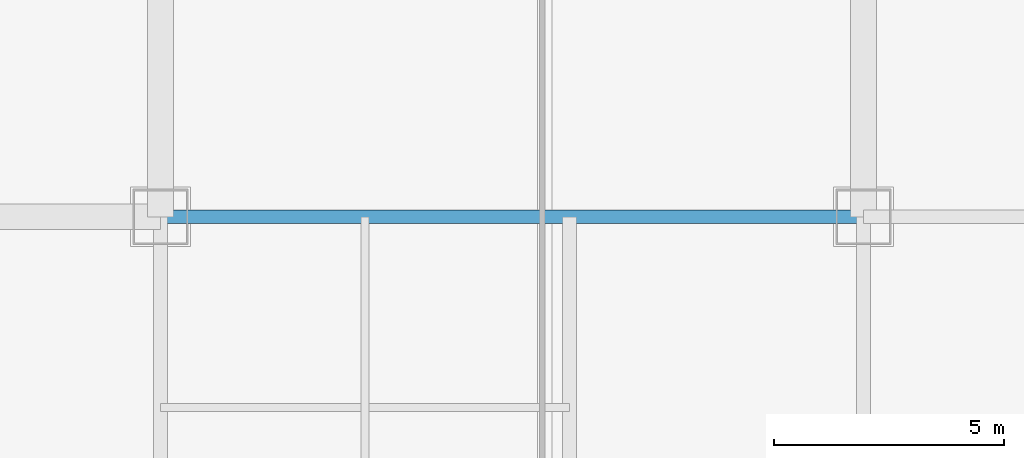
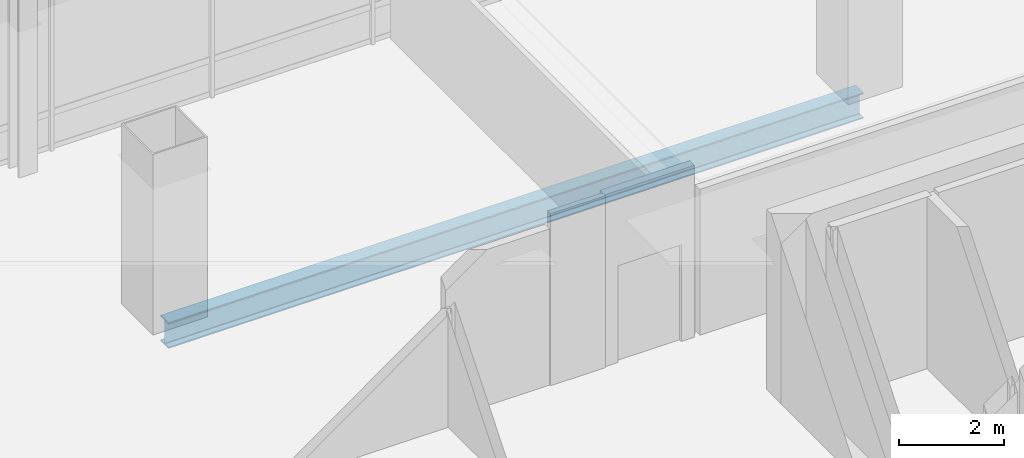
# One storey, part 22 of 42: 1 beam.
"""IFC4 building model written with IfcOpenShell, lengths in metres."""

from ifc_helpers import new_model, si_unit, direction, frame, origin, origin_2d, place, context, subcontext, project, spatial, i_section, extrude, material, material_profile, profile_set, type_object, element, save


model = new_model("IFC4")

# Units and contexts
model_context = context("Model", 3, precision=1e-05, world=origin(), true_north=direction((0.0, 1.0)))
body_context = subcontext(model_context, "Body", "Model", "MODEL_VIEW")
ifc_project = project(units=[si_unit("LENGTHUNIT", "METRE"), si_unit("AREAUNIT", "SQUARE_METRE"), si_unit("VOLUMEUNIT", "CUBIC_METRE"), si_unit("PLANEANGLEUNIT", "RADIAN"), si_unit("MASSUNIT", "GRAM", prefix="KILO")], contexts=[model_context])

# Site, building, storey
site_placement = place(None, origin())
site = spatial("IfcSite", under=ifc_project, at=site_placement, CompositionType="ELEMENT")
building_placement = place(site_placement, origin())
building = spatial("IfcBuilding", under=site, at=building_placement, Name="Punatoya Terracotta Tower", CompositionType="ELEMENT")
storey_placement = place(building_placement, frame((0.0, 0.0, 296.39990234375)))
storey = spatial("IfcBuildingStorey", under=building, at=storey_placement, Name="L70", CompositionType="ELEMENT", Elevation=296.39990234375)

# Beam
ifc_material = material(Name="Steel S355", Category="steel")
ifc_material_profile = material_profile(ifc_material, i_section(OverallWidth=0.300048828125, OverallDepth=0.60009765625, WebThickness=0.015380859375, FlangeThickness=0.030029296875, FilletRadius=0.01806640625, at=origin_2d()))
ifc_profile_set = profile_set([ifc_material_profile], Name="Steel S355")
beam_type = type_object("IfcBeamType", Name="BM-PRI-600", PredefinedType="BEAM", material=ifc_profile_set)
beam_placement = place(storey_placement, frame((-19.10009765625, 17.5, -0.5), z_axis=(1.0, 0.0, 0.0), x_axis=(0.0, 1.0, 0.0)))
element("IfcBeam", 1, at=beam_placement, inside=storey, type_object=beam_type, Name="BM-L70-RG-N1", PredefinedType="BEAM", context=body_context, shape_type="SweptSolid", body=[
    extrude(i_section(OverallWidth=0.300048828125, OverallDepth=0.60009765625, WebThickness=0.015380859375, FlangeThickness=0.030029296875, FilletRadius=0.01806640625, at=origin_2d()), origin(), (0.0, 0.0, 1.0), 15.300048828125),
])

save(model, "model.ifc")
